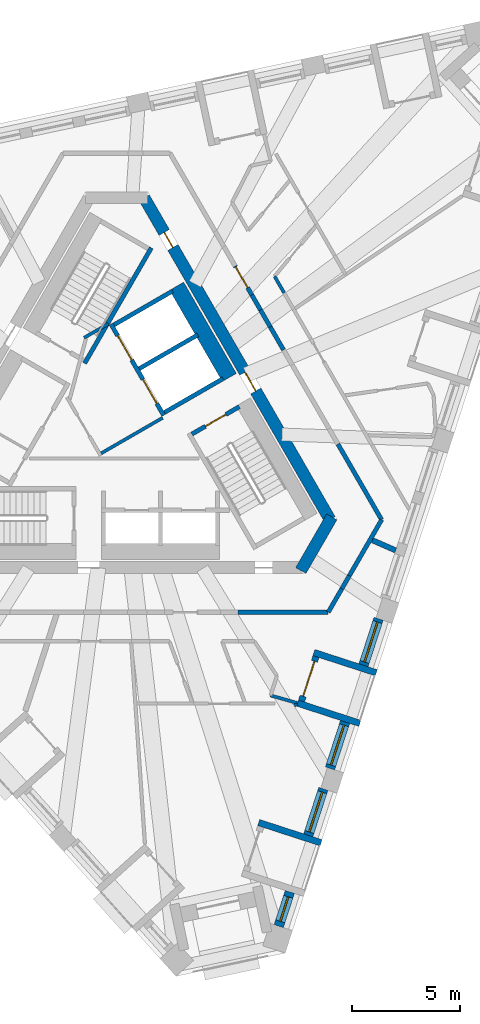
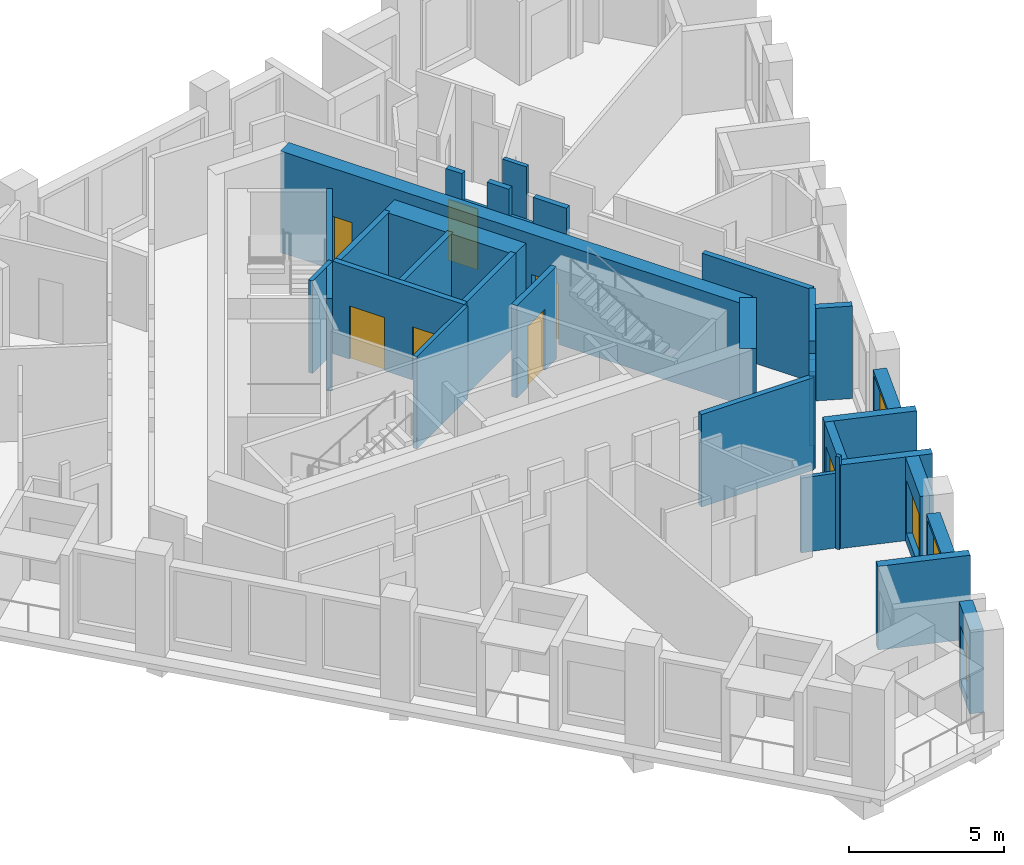
# One storey, part 5 of 12: 32 walls, 7 doors, 4 windows, 11 openings.
"""IFC4 building model written with IfcOpenShell, lengths in metres."""

from ifc_helpers import new_model, si_unit, direction, frame, frame_2d, origin, place, context, subcontext, project, spatial, polyline, rectangle, outline, extrude, material, layer, layer_set, type_object, element, fill, save


model = new_model("IFC4")

# Units and contexts
model_context = context("Model", 3, precision=1e-05, world=origin(), true_north=direction((0.0, 1.0)))
body_context = subcontext(model_context, "Body", "Model", "MODEL_VIEW")
ifc_project = project(units=[si_unit("LENGTHUNIT", "METRE"), si_unit("AREAUNIT", "SQUARE_METRE"), si_unit("VOLUMEUNIT", "CUBIC_METRE"), si_unit("PLANEANGLEUNIT", "RADIAN"), si_unit("MASSUNIT", "GRAM", prefix="KILO")], contexts=[model_context])

# Site, building, storey
site_placement = place(None, origin())
site = spatial("IfcSite", under=ifc_project, at=site_placement, CompositionType="ELEMENT")
building_placement = place(site_placement, origin())
building = spatial("IfcBuilding", under=site, at=building_placement, Name="Tramontana Tower", CompositionType="ELEMENT")
storey_placement = place(building_placement, frame((0.0, 0.0, 332.39990234375)))
storey = spatial("IfcBuildingStorey", under=building, at=storey_placement, Name="L76", CompositionType="ELEMENT", Elevation=332.39990234375)

# Wall
ifc_material_1 = material(Name="Concrete 70 MPa", Category="concrete")
ifc_layer_1 = layer(ifc_material_1, 0.550048828125)
ifc_layer_set_1 = layer_set([ifc_layer_1], Name="Core wall 550 70 MPa")
wall_type_1 = type_object("IfcWallType", Name="Core wall 550 70 MPa", PredefinedType="SHEAR", material=ifc_layer_set_1)
wall_1_placement = place(storey_placement, frame((8.56640625, -6.612548828125, 0.0), z_axis=(0.0, 0.0, 1.0), x_axis=(0.499995765644, 0.866027848477, 0.0)))
element("IfcWall", 1, at=wall_1_placement, inside=storey, type_object=wall_type_1, Name="Core wall C4 L76", PredefinedType="SHEAR", context=body_context, shape_type="SweptSolid", body=[
    extrude(rectangle(XDim=2.88671875, YDim=0.550048828125, at=frame_2d((1.443359375, 0.0))), origin(), (0.0, 0.0, 1.0), 4.0),
])

# Wall, openings, doors
wall_2_placement = place(storey_placement, frame((9.930419921875, -4.25, 0.0), z_axis=(0.0, 0.0, 1.0), x_axis=(-0.499994590896, 0.86602852671, 0.0)))
wall_2 = element("IfcWall", 2, at=wall_2_placement, inside=storey, type_object=wall_type_1, Name="Core wall C5 L76", PredefinedType="SHEAR", context=body_context, shape_type="SweptSolid", body=[
    extrude(rectangle(XDim=17.291748046875, YDim=0.550048828125, at=frame_2d((8.64599609375, 0.0))), origin(), (0.0, 0.0, 1.0), 4.0),
])
opening_1_placement = place(wall_2_placement, frame((6.9208984375, 0.0, 0.0)))
opening_1 = element("IfcOpeningElement", 3, at=opening_1_placement, cuts=wall_2, Name="Opening RG3", PredefinedType="OPENING", context=body_context, shape_type="SweptSolid", body=[
    extrude(rectangle(XDim=1.0, YDim=2.39990234375, at=frame_2d((0.5, 1.199951171875))), frame((0.0, 0.284912109375, 0.0), z_axis=(0.0, -1.0, 0.0), x_axis=(1.0, 0.0, 0.0)), (0.0, 0.0, 1.0), 0.570068359375),
])
opening_2_placement = place(wall_2_placement, frame((14.625732421875, 0.0, 0.0)))
opening_2 = element("IfcOpeningElement", 4, at=opening_2_placement, cuts=wall_2, Name="Opening PD3", PredefinedType="OPENING", context=body_context, shape_type="SweptSolid", body=[
    extrude(rectangle(XDim=0.800048828125, YDim=2.10009765625, at=frame_2d((0.39990234375, 1.050048828125))), frame((0.0, 0.284912109375, 0.0), z_axis=(0.0, -1.0, 0.0), x_axis=(1.0, 0.0, 0.0)), (0.0, 0.0, 1.0), 0.570068359375),
])
ifc_material_2 = material(Name="Painted steel", Category="steel")
door_type_1 = type_object("IfcDoorType", Name="CUPBOARD DOOR 800", OperationType="SINGLE_SWING_LEFT", PredefinedType="DOOR", material=ifc_material_2)
door_1_placement = place(opening_2_placement, origin())
door_1 = element("IfcDoor", 5, at=door_1_placement, inside=storey, type_object=door_type_1, Name="Door PD3", OperationType="SINGLE_SWING_RIGHT", OverallHeight=2.10009765625, OverallWidth=0.800048828125, PredefinedType="DOOR", context=body_context, shape_type="SweptSolid", body=[
    extrude(rectangle(XDim=0.800048828125, YDim=2.10009765625, at=frame_2d((0.39990234375, 1.050048828125))), frame((0.0, 0.02490234375, 0.0), z_axis=(0.0, -1.0, 0.0), x_axis=(1.0, 0.0, 0.0)), (0.0, 0.0, 1.0), 0.050048828125),
])
fill(opening_2, door_1)
ifc_material_3 = material(Name="Painted steel", Category="steel")
door_type_2 = type_object("IfcDoorType", Name="RING DOOR 1000", OperationType="SINGLE_SWING_LEFT", PredefinedType="DOOR", material=ifc_material_3)
door_2_placement = place(opening_1_placement, origin())
door_2 = element("IfcDoor", 6, at=door_2_placement, inside=storey, type_object=door_type_2, Name="Door RG3", OperationType="SINGLE_SWING_RIGHT", OverallHeight=2.39990234375, OverallWidth=1.0, PredefinedType="DOOR", context=body_context, shape_type="SweptSolid", body=[
    extrude(rectangle(XDim=1.0, YDim=2.39990234375, at=frame_2d((0.5, 1.199951171875))), frame((0.0, 0.02490234375, 0.0), z_axis=(0.0, -1.0, 0.0), x_axis=(1.0, 0.0, 0.0)), (0.0, 0.0, 1.0), 0.050048828125),
])
fill(opening_1, door_2)

# Walls
ifc_material_4 = material(Name="Blockwork", Category="masonry")
ifc_layer_2 = layer(ifc_material_4, 0.199951171875)
ifc_layer_set_2 = layer_set([ifc_layer_2], Name="ENTRY WALL 200")
wall_type_2 = type_object("IfcWallType", Name="ENTRY WALL 200", PredefinedType="SOLIDWALL", material=ifc_layer_set_2)
wall_3_placement = place(storey_placement, frame((12.326416015625, -4.25, 0.0), z_axis=(0.0, 0.0, 1.0), x_axis=(-0.500003959331, -0.866023117852, 0.0)))
element("IfcWall", 7, at=wall_3_placement, inside=storey, type_object=wall_type_2, Name="Wall v81-ew0-0", PredefinedType="SOLIDWALL", context=body_context, shape_type="SweptSolid", body=[
    extrude(rectangle(XDim=3.0029296875, YDim=0.199951171875, at=frame_2d((1.50146484375, 0.0))), origin(), (0.0, 0.0, 1.0), 3.650146484375),
])
wall_4_placement = place(storey_placement, frame((10.824951171875, -6.8505859375, 0.0), z_axis=(0.0, 0.0, 1.0), x_axis=(-0.500144223137, -0.865942120504, 0.0)))
element("IfcWall", 8, at=wall_4_placement, inside=storey, type_object=wall_type_2, Name="Wall v81-ew0-1", PredefinedType="SOLIDWALL", context=body_context, shape_type="SweptSolid", body=[
    extrude(rectangle(XDim=0.701416015625, YDim=0.199951171875, at=frame_2d((0.3505859375, 0.0))), origin(), (0.0, 0.0, 1.0), 2.9501953125),
])
wall_5_placement = place(storey_placement, frame((10.47412109375, -7.4580078125, 0.0), z_axis=(0.0, 0.0, 1.0), x_axis=(-0.499929168788, -0.866066294342, 0.0)))
element("IfcWall", 9, at=wall_5_placement, inside=storey, type_object=wall_type_2, Name="Wall v81-ew0-2", PredefinedType="SOLIDWALL", context=body_context, shape_type="SweptSolid", body=[
    extrude(rectangle(XDim=1.260986328125, YDim=0.199951171875, at=frame_2d((0.63037109375, 0.0))), origin(), (0.0, 0.0, 1.0), 3.650146484375),
])
wall_6_placement = place(storey_placement, frame((9.84375, -8.550048828125, 0.0), z_axis=(0.0, 0.0, 1.0), x_axis=(-1.0, 0.0, 0.0)))
element("IfcWall", 10, at=wall_6_placement, inside=storey, type_object=wall_type_2, Name="Wall v81-ew1-0", PredefinedType="SOLIDWALL", context=body_context, shape_type="SweptSolid", body=[
    extrude(rectangle(XDim=4.1943359375, YDim=0.199951171875, at=frame_2d((2.09716796875, 0.0))), origin(), (0.0, 0.0, 1.0), 3.650146484375),
])

# Wall, opening, door
wall_7_placement = place(storey_placement, frame((5.515380859375, 7.547119140625, 0.0), z_axis=(0.0, 0.0, 1.0), x_axis=(0.499986163319, -0.866033392248, 0.0)))
wall_7 = element("IfcWall", 11, at=wall_7_placement, inside=storey, type_object=wall_type_2, Name="Wall v81-ew5-3", PredefinedType="SOLIDWALL", context=body_context, shape_type="SweptSolid", body=[
    extrude(outline(polyline([(0.0, 0.0), (1.54931640625, 0.0), (1.549072265625, 2.550048828125), (0.605224609375, 2.550048828125), (0.605224609375, 3.650146484375), (0.0, 3.650146484375), (0.0, 0.0)])), frame((0.0, 0.10009765625, 0.0), z_axis=(0.0, -1.0, 0.0), x_axis=(1.0, 0.0, 0.0)), (0.0, 0.0, 1.0), 0.199951171875),
])
opening_3_placement = place(wall_7_placement, frame((0.050048828125, 0.0, 0.0)))
opening_3 = element("IfcOpeningElement", 12, at=opening_3_placement, cuts=wall_7, Name="Opening B8B-18", PredefinedType="OPENING", context=body_context, shape_type="SweptSolid", body=[
    extrude(rectangle(XDim=1.10009765625, YDim=2.39990234375, at=frame_2d((0.550048828125, 1.199951171875))), frame((0.0, 0.10986328125, 0.0), z_axis=(0.0, -1.0, 0.0), x_axis=(1.0, 0.0, 0.0)), (0.0, 0.0, 1.0), 0.219970703125),
])
ifc_material_5 = material(Name="Painted timber", Category="wood")
door_type_3 = type_object("IfcDoorType", Name="DOOR ENTRY 1100", OperationType="SINGLE_SWING_LEFT", PredefinedType="DOOR", material=ifc_material_5)
door_3_placement = place(opening_3_placement, origin())
door_3 = element("IfcDoor", 13, at=door_3_placement, inside=storey, type_object=door_type_3, Name="Door B8B-18", OperationType="SINGLE_SWING_RIGHT", OverallHeight=2.39990234375, OverallWidth=1.10009765625, PredefinedType="DOOR", context=body_context, shape_type="SweptSolid", body=[
    extrude(rectangle(XDim=1.10009765625, YDim=2.39990234375, at=frame_2d((0.550048828125, 1.199951171875))), frame((0.0, 0.02490234375, 0.0), z_axis=(0.0, -1.0, 0.0), x_axis=(1.0, 0.0, 0.0)), (0.0, 0.0, 1.0), 0.050048828125),
])
fill(opening_3, door_3)

# Walls
wall_8_placement = place(storey_placement, frame((6.2900390625, 6.205322265625, 0.0), z_axis=(0.0, 0.0, 1.0), x_axis=(0.500045602705, -0.86599907345, 0.0)))
element("IfcWall", 14, at=wall_8_placement, inside=storey, type_object=wall_type_2, Name="Wall v81-ew5-4", PredefinedType="SOLIDWALL", context=body_context, shape_type="SweptSolid", body=[
    extrude(rectangle(XDim=0.806640625, YDim=0.199951171875, at=frame_2d((0.4033203125, 0.0))), origin(), (0.0, 0.0, 1.0), 3.650146484375),
])
wall_9_placement = place(storey_placement, frame((6.693359375, 5.5068359375, 0.0), z_axis=(0.0, 0.0, 1.0), x_axis=(0.499994660107, -0.866028486751, 0.0)))
element("IfcWall", 15, at=wall_9_placement, inside=storey, type_object=wall_type_2, Name="Wall v81-ew5-5", PredefinedType="SOLIDWALL", context=body_context, shape_type="SweptSolid", body=[
    extrude(rectangle(XDim=0.90576171875, YDim=0.199951171875, at=frame_2d((0.452880859375, 0.0))), origin(), (0.0, 0.0, 1.0), 2.550048828125),
])
wall_10_placement = place(storey_placement, frame((7.146240234375, 4.722412109375, 0.0), z_axis=(0.0, 0.0, 1.0), x_axis=(0.499955681623, -0.866050989499, 0.0)))
element("IfcWall", 16, at=wall_10_placement, inside=storey, type_object=wall_type_2, Name="Wall v81-ew5-6", PredefinedType="SOLIDWALL", context=body_context, shape_type="SweptSolid", body=[
    extrude(rectangle(XDim=1.23828125, YDim=0.199951171875, at=frame_2d((0.619140625, 0.0))), origin(), (0.0, 0.0, 1.0), 3.650146484375),
])
wall_11_placement = place(storey_placement, frame((10.29345703125, -0.72900390625, 0.0), z_axis=(0.0, 0.0, 1.0), x_axis=(0.50002046505, -0.86601358796, 0.0)))
element("IfcWall", 17, at=wall_11_placement, inside=storey, type_object=wall_type_2, Name="Wall v81-ew5-10", PredefinedType="SOLIDWALL", context=body_context, shape_type="SweptSolid", body=[
    extrude(rectangle(XDim=4.065673828125, YDim=0.199951171875, at=frame_2d((2.03271484375, 0.0))), origin(), (0.0, 0.0, 1.0), 3.650146484375),
])

# Wall, opening, window
ifc_material_6 = material(Name="Precast concrete 60 MPa", Category="concrete")
ifc_layer_3 = layer(ifc_material_6, 0.449951171875)
ifc_layer_set_3 = layer_set([ifc_layer_3], Name="Precast concrete 60 MPa, 450 mm")
wall_type_3 = type_object("IfcWallType", Name="EW1 Stone-faced precast wall 450", PredefinedType="SOLIDWALL", material=ifc_layer_set_3)
wall_12_placement = place(storey_placement, frame((7.541015625, -23.14794921875, 0.0), z_axis=(0.0, 0.0, 1.0), x_axis=(0.308944042168, 0.951080216811, 0.0)))
wall_12 = element("IfcWall", 18, at=wall_12_placement, inside=storey, type_object=wall_type_3, Name="External wall L76 face 1 bay 1", PredefinedType="SOLIDWALL", context=body_context, shape_type="SweptSolid", body=[
    extrude(rectangle(XDim=1.67138671875, YDim=0.449951171875, at=frame_2d((0.835693359375, 0.0))), origin(), (0.0, 0.0, 1.0), 3.300048828125),
])
opening_4_placement = place(wall_12_placement, frame((0.235595703125, 0.0, 0.39990234375)))
opening_4 = element("IfcOpeningElement", 19, at=opening_4_placement, cuts=wall_12, Name="Opening N3L", PredefinedType="OPENING", context=body_context, shape_type="SweptSolid", body=[
    extrude(rectangle(XDim=1.199951171875, YDim=2.10009765625, at=frame_2d((0.60009765625, 1.050048828125))), frame((0.0, 0.23486328125, 0.0), z_axis=(0.0, -1.0, 0.0), x_axis=(1.0, 0.0, 0.0)), (0.0, 0.0, 1.0), 0.469970703125),
])
ifc_material_7 = material(Name="Aluminum frame, double glazing unit", Category="aluminium")
window_type_1 = type_object("IfcWindowType", Name="N3L Window 1.2 x 2.1", PartitioningType="SINGLE_PANEL", PredefinedType="WINDOW", material=ifc_material_7)
window_1_placement = place(opening_4_placement, origin())
window_1 = element("IfcWindow", 20, at=window_1_placement, inside=storey, type_object=window_type_1, Name="Window N3L L76 face 1 module 1", OverallHeight=2.10009765625, OverallWidth=1.199951171875, PartitioningType="SINGLE_PANEL", PredefinedType="WINDOW", context=body_context, shape_type="SweptSolid", body=[
    extrude(rectangle(XDim=1.199951171875, YDim=2.10009765625, at=frame_2d((0.60009765625, 1.050048828125))), frame((0.0, 0.030029296875, 0.0), z_axis=(0.0, -1.0, 0.0), x_axis=(1.0, 0.0, 0.0)), (0.0, 0.0, 1.0), 0.06005859375),
])
fill(opening_4, window_1)

wall_13_placement = place(storey_placement, frame((8.913818359375, -18.922607421875, 0.0), z_axis=(0.0, 0.0, 1.0), x_axis=(0.309059334219, 0.951042758204, 0.0)))
wall_13 = element("IfcWall", 21, at=wall_13_placement, inside=storey, type_object=wall_type_3, Name="External wall L76 face 1 bay 1", PredefinedType="SOLIDWALL", context=body_context, shape_type="SweptSolid", body=[
    extrude(rectangle(XDim=2.27099609375, YDim=0.449951171875, at=frame_2d((1.135498046875, 0.0))), origin(), (0.0, 0.0, 1.0), 3.300048828125),
])
opening_5_placement = place(wall_13_placement, frame((0.16064453125, 0.0, 0.39990234375)))
opening_5 = element("IfcOpeningElement", 22, at=opening_5_placement, cuts=wall_13, Name="Opening M3", PredefinedType="OPENING", context=body_context, shape_type="SweptSolid", body=[
    extrude(rectangle(XDim=1.949951171875, YDim=2.75, at=frame_2d((0.97509765625, 1.375))), frame((0.0, 0.23486328125, 0.0), z_axis=(0.0, -1.0, 0.0), x_axis=(1.0, 0.0, 0.0)), (0.0, 0.0, 1.0), 0.469970703125),
])
ifc_material_8 = material(Name="Aluminum frame, double glazing unit", Category="aluminium")
window_type_2 = type_object("IfcWindowType", Name="M3 Window 1.95 x 2.75", PartitioningType="SINGLE_PANEL", PredefinedType="WINDOW", material=ifc_material_8)
window_2_placement = place(opening_5_placement, origin())
window_2 = element("IfcWindow", 23, at=window_2_placement, inside=storey, type_object=window_type_2, Name="Window M3 L76 face 1 module 3", OverallHeight=2.75, OverallWidth=1.949951171875, PartitioningType="SINGLE_PANEL", PredefinedType="WINDOW", context=body_context, shape_type="SweptSolid", body=[
    extrude(rectangle(XDim=1.949951171875, YDim=2.75, at=frame_2d((0.97509765625, 1.375))), frame((0.0, 0.030029296875, 0.0), z_axis=(0.0, -1.0, 0.0), x_axis=(1.0, 0.0, 0.0)), (0.0, 0.0, 1.0), 0.06005859375),
])
fill(opening_5, window_2)

wall_14_placement = place(storey_placement, frame((9.9248046875, -15.8115234375, 0.0), z_axis=(0.0, 0.0, 1.0), x_axis=(0.308930512416, 0.95108461164, 0.0)))
wall_14 = element("IfcWall", 24, at=wall_14_placement, inside=storey, type_object=wall_type_3, Name="External wall L76 face 1 bay 2", PredefinedType="SOLIDWALL", context=body_context, shape_type="SweptSolid", body=[
    extrude(rectangle(XDim=2.271240234375, YDim=0.449951171875, at=frame_2d((1.1357421875, 0.0))), origin(), (0.0, 0.0, 1.0), 3.300048828125),
])
opening_6_placement = place(wall_14_placement, frame((0.16064453125, 0.0, 0.39990234375)))
opening_6 = element("IfcOpeningElement", 25, at=opening_6_placement, cuts=wall_14, Name="Opening M3L", PredefinedType="OPENING", context=body_context, shape_type="SweptSolid", body=[
    extrude(rectangle(XDim=1.949951171875, YDim=2.10009765625, at=frame_2d((0.97509765625, 1.050048828125))), frame((0.0, 0.23486328125, 0.0), z_axis=(0.0, -1.0, 0.0), x_axis=(1.0, 0.0, 0.0)), (0.0, 0.0, 1.0), 0.469970703125),
])
ifc_material_9 = material(Name="Aluminum frame, double glazing unit", Category="aluminium")
window_type_3 = type_object("IfcWindowType", Name="M3L Window 1.95 x 2.1", PartitioningType="SINGLE_PANEL", PredefinedType="WINDOW", material=ifc_material_9)
window_3_placement = place(opening_6_placement, origin())
window_3 = element("IfcWindow", 26, at=window_3_placement, inside=storey, type_object=window_type_3, Name="Window M3L L76 face 1 module 4", OverallHeight=2.10009765625, OverallWidth=1.949951171875, PartitioningType="SINGLE_PANEL", PredefinedType="WINDOW", context=body_context, shape_type="SweptSolid", body=[
    extrude(rectangle(XDim=1.949951171875, YDim=2.10009765625, at=frame_2d((0.97509765625, 1.050048828125))), frame((0.0, 0.030029296875, 0.0), z_axis=(0.0, -1.0, 0.0), x_axis=(1.0, 0.0, 0.0)), (0.0, 0.0, 1.0), 0.06005859375),
])
fill(opening_6, window_3)

wall_15_placement = place(storey_placement, frame((11.48291015625, -11.015869140625, 0.0), z_axis=(0.0, 0.0, 1.0), x_axis=(0.309027740273, 0.951053024674, 0.0)))
wall_15 = element("IfcWall", 27, at=wall_15_placement, inside=storey, type_object=wall_type_3, Name="External wall L76 face 1 bay 2", PredefinedType="SOLIDWALL", context=body_context, shape_type="SweptSolid", body=[
    extrude(rectangle(XDim=2.271240234375, YDim=0.449951171875, at=frame_2d((1.1357421875, 0.0))), origin(), (0.0, 0.0, 1.0), 3.300048828125),
])
opening_7_placement = place(wall_15_placement, frame((0.16064453125, 0.0, 0.39990234375)))
opening_7 = element("IfcOpeningElement", 28, at=opening_7_placement, cuts=wall_15, Name="Opening M3", PredefinedType="OPENING", context=body_context, shape_type="SweptSolid", body=[
    extrude(rectangle(XDim=1.949951171875, YDim=2.75, at=frame_2d((0.97509765625, 1.375))), frame((0.0, 0.23486328125, 0.0), z_axis=(0.0, -1.0, 0.0), x_axis=(1.0, 0.0, 0.0)), (0.0, 0.0, 1.0), 0.469970703125),
])
window_4_placement = place(opening_7_placement, origin())
window_4 = element("IfcWindow", 29, at=window_4_placement, inside=storey, type_object=window_type_2, Name="Window M3 L76 face 1 module 6", OverallHeight=2.75, OverallWidth=1.949951171875, PartitioningType="SINGLE_PANEL", PredefinedType="WINDOW", context=body_context, shape_type="SweptSolid", body=[
    extrude(rectangle(XDim=1.949951171875, YDim=2.75, at=frame_2d((0.97509765625, 1.375))), frame((0.0, 0.030029296875, 0.0), z_axis=(0.0, -1.0, 0.0), x_axis=(1.0, 0.0, 0.0)), (0.0, 0.0, 1.0), 0.06005859375),
])
fill(opening_7, window_4)

# Wall
ifc_material_10 = material(Name="Precast concrete 60 MPa", Category="concrete")
ifc_layer_4 = layer(ifc_material_10, 0.300048828125)
ifc_layer_set_4 = layer_set([ifc_layer_4], Name="LW1 Stone-faced loggia wall 300")
wall_type_4 = type_object("IfcWallType", Name="LW1 Stone-faced loggia wall 300", PredefinedType="SOLIDWALL", material=ifc_layer_set_4)
wall_16_placement = place(storey_placement, frame((9.509521484375, -19.27392578125, 0.0), z_axis=(0.0, 0.0, 1.0), x_axis=(-0.951072883748, 0.308966615996, 0.0)))
element("IfcWall", 30, at=wall_16_placement, inside=storey, type_object=wall_type_4, Name="Loggia return L76 G8S1.1b", PredefinedType="SOLIDWALL", context=body_context, shape_type="SweptSolid", body=[
    extrude(rectangle(XDim=3.050048828125, YDim=0.300048828125, at=frame_2d((1.52490234375, 0.0))), origin(), (0.0, 0.0, 1.0), 3.300048828125),
])

# Wall, opening, door
wall_17_placement = place(storey_placement, frame((8.603271484375, -12.678466796875, 0.0), z_axis=(0.0, 0.0, 1.0), x_axis=(0.308999623589, 0.95106216023, 0.0)))
wall_17 = element("IfcWall", 31, at=wall_17_placement, inside=storey, type_object=wall_type_4, Name="Loggia wall L76 G8S1.4", PredefinedType="SOLIDWALL", context=body_context, shape_type="SweptSolid", body=[
    extrude(rectangle(XDim=2.171142578125, YDim=0.300048828125, at=frame_2d((1.08544921875, 0.0))), origin(), (0.0, 0.0, 1.0), 3.300048828125),
])
opening_8_placement = place(wall_17_placement, frame((0.235595703125, 0.0, 0.0)))
opening_8 = element("IfcOpeningElement", 32, at=opening_8_placement, cuts=wall_17, Name="Opening BD-8S1-04", PredefinedType="OPENING", context=body_context, shape_type="SweptSolid", body=[
    extrude(rectangle(XDim=1.699951171875, YDim=2.5, at=frame_2d((0.85009765625, 1.25))), frame((0.0, 0.159912109375, 0.0), z_axis=(0.0, -1.0, 0.0), x_axis=(1.0, 0.0, 0.0)), (0.0, 0.0, 1.0), 0.320068359375),
])
ifc_material_11 = material(Name="Aluminum frame, double glazing unit", Category="aluminium")
door_type_4 = type_object("IfcDoorType", Name="BD3 Sliding door 1.7 x 2.5", OperationType="SLIDING_TO_LEFT", PredefinedType="DOOR", material=ifc_material_11)
door_4_placement = place(opening_8_placement, origin())
door_4 = element("IfcDoor", 33, at=door_4_placement, inside=storey, type_object=door_type_4, Name="Loggia door L76 G8S1.4", OperationType="SLIDING_TO_LEFT", OverallHeight=2.5, OverallWidth=1.699951171875, PredefinedType="DOOR", context=body_context, shape_type="SweptSolid", body=[
    extrude(rectangle(XDim=1.699951171875, YDim=2.5, at=frame_2d((0.85009765625, 1.25))), frame((0.0, 0.02490234375, 0.0), z_axis=(0.0, -1.0, 0.0), x_axis=(1.0, 0.0, 0.0)), (0.0, 0.0, 1.0), 0.050048828125),
])
fill(opening_8, door_4)

# Walls
for number, where, z_axis, x_axis, name in (
    (34, (11.31494140625, -13.71728515625, 0.0), (0.0, 0.0, 1.0), (-0.951072883748, 0.308966615996, 0.0), "Loggia return L76 G8S1.4a"),
    (35, (12.07861328125, -11.366943359375, 0.0), (0.0, 0.0, 1.0), (-0.951072883748, 0.308966615996, 0.0), "Loggia return L76 G8S1.4b"),
):
    element("IfcWall", number, at=place(storey_placement, frame(where, z_axis=z_axis, x_axis=x_axis)), inside=storey, type_object=wall_type_4, Name=name, PredefinedType="SOLIDWALL", context=body_context, shape_type="SweptSolid", body=[
        extrude(rectangle(XDim=3.050048828125, YDim=0.300048828125, at=frame_2d((1.52490234375, 0.0))), origin(), (0.0, 0.0, 1.0), 3.300048828125),
    ])
ifc_material_12 = material(Name="Gypsum board partition")
ifc_layer_5 = layer(ifc_material_12, 0.14990234375)
ifc_layer_set_5 = layer_set([ifc_layer_5], Name="PARTITION 150")
wall_type_5 = type_object("IfcWallType", Name="PARTITION 150", PredefinedType="PARTITIONING", material=ifc_layer_set_5)
wall_18_placement = place(storey_placement, frame((-0.716796875, -1.15869140625, 0.0), z_axis=(0.0, 0.0, 1.0), x_axis=(0.866008176907, 0.50002983664, 0.0)))
element("IfcWall", 36, at=wall_18_placement, inside=storey, type_object=wall_type_5, Name="Wall ff-end0", PredefinedType="PARTITIONING", context=body_context, shape_type="SweptSolid", body=[
    extrude(rectangle(XDim=3.300048828125, YDim=0.14990234375, at=frame_2d((1.64990234375, 0.0))), origin(), (0.0, 0.0, 1.0), 3.650146484375),
])
wall_19_placement = place(storey_placement, frame((-1.509765625, 4.21484375, 0.0), z_axis=(0.0, 0.0, 1.0), x_axis=(0.866085525409, 0.49989585183, 0.0)))
element("IfcWall", 37, at=wall_19_placement, inside=storey, type_object=wall_type_5, Name="Wall ff-end1", PredefinedType="PARTITIONING", context=body_context, shape_type="SweptSolid", body=[
    extrude(rectangle(XDim=1.300048828125, YDim=0.14990234375, at=frame_2d((0.64990234375, 0.0))), origin(), (0.0, 0.0, 1.0), 3.650146484375),
])
wall_20_placement = place(storey_placement, frame((7.34814453125, 7.07275390625, 0.0), z_axis=(0.0, 0.0, 1.0), x_axis=(0.499952443665, -0.866052858707, 0.0)))
element("IfcWall", 38, at=wall_20_placement, inside=storey, type_object=wall_type_5, Name="Wall v81-pw24-0", PredefinedType="PARTITIONING", context=body_context, shape_type="SweptSolid", body=[
    extrude(rectangle(XDim=0.88818359375, YDim=0.14990234375, at=frame_2d((0.444091796875, 0.0))), origin(), (0.0, 0.0, 1.0), 3.650146484375),
])
wall_21_placement = place(storey_placement, frame((8.36767578125, -12.91748046875, 0.0), z_axis=(0.0, 0.0, 1.0), x_axis=(-0.542961688991, 0.839757467539, 0.0)))
element("IfcWall", 39, at=wall_21_placement, inside=storey, type_object=wall_type_5, Name="Wall v81-pw28", PredefinedType="PARTITIONING", context=body_context, shape_type="SweptSolid", body=[
    extrude(rectangle(XDim=0.139892578125, YDim=0.14990234375, at=frame_2d((0.06982421875, 0.0))), origin(), (0.0, 0.0, 1.0), 3.650146484375),
])
wall_22_placement = place(storey_placement, frame((8.4140625, -12.77490234375, 0.0), z_axis=(0.0, 0.0, 1.0), x_axis=(-0.962207901517, 0.272315908933, 0.0)))
element("IfcWall", 40, at=wall_22_placement, inside=storey, type_object=wall_type_5, Name="Wall v81-pw29-0", PredefinedType="PARTITIONING", context=body_context, shape_type="SweptSolid", body=[
    extrude(rectangle(XDim=1.30078125, YDim=0.14990234375, at=frame_2d((0.650390625, 0.0))), origin(), (0.0, 0.0, 1.0), 2.9501953125),
])
ifc_material_13 = material(Name="Blockwork", Category="masonry")
ifc_layer_6 = layer(ifc_material_13, 0.25)
ifc_layer_set_6 = layer_set([ifc_layer_6], Name="PARTY WALL 250")
wall_type_6 = type_object("IfcWallType", Name="PARTY WALL 250", PredefinedType="SOLIDWALL", material=ifc_layer_set_6)
wall_23_placement = place(storey_placement, frame((11.893798828125, -5.199462890625, 0.0), z_axis=(0.0, 0.0, 1.0), x_axis=(0.916270561307, -0.4005599312, 0.0)))
element("IfcWall", 41, at=wall_23_placement, inside=storey, type_object=wall_type_6, Name="Wall v81-pw32", PredefinedType="SOLIDWALL", context=body_context, shape_type="SweptSolid", body=[
    extrude(rectangle(XDim=1.187255859375, YDim=0.25, at=frame_2d((0.59375, 0.0))), origin(), (0.0, 0.0, 1.0), 3.650146484375),
])
ifc_material_14 = material(Name="Concrete 70 MPa", Category="concrete")
ifc_layer_7 = layer(ifc_material_14, 0.75)
ifc_layer_set_7 = layer_set([ifc_layer_7], Name="Concrete 70 MPa, 750 mm")
wall_type_7 = type_object("IfcWallType", Name="RC SHAFT BACK WALL 750", PredefinedType="SOLIDWALL", material=ifc_layer_set_7)
wall_24_placement = place(storey_placement, frame((5.242919921875, 2.368896484375, 0.0), z_axis=(0.0, 0.0, 1.0), x_axis=(-0.500002801628, 0.866023786258, 0.0)))
element("IfcWall", 42, at=wall_24_placement, inside=storey, type_object=wall_type_7, Name="Wall row2-back", PredefinedType="SOLIDWALL", context=body_context, shape_type="SweptSolid", body=[
    extrude(rectangle(XDim=4.89990234375, YDim=0.75, at=frame_2d((2.449951171875, 0.0))), origin(), (0.0, 0.0, 1.0), 3.650146484375),
])
ifc_material_15 = material(Name="Concrete 70 MPa", Category="concrete")
ifc_layer_8 = layer(ifc_material_15, 0.199951171875)
ifc_layer_set_8 = layer_set([ifc_layer_8], Name="Concrete 70 MPa, 200 mm")
wall_type_8 = type_object("IfcWallType", Name="RC STAIR AND SHAFT WALL 200", PredefinedType="SOLIDWALL", material=ifc_layer_set_8)
wall_25_placement = place(storey_placement, frame((1.615234375, 8.3974609375, 0.0), z_axis=(0.0, 0.0, 1.0), x_axis=(-0.500009909098, -0.866019682689, 0.0)))
element("IfcWall", 43, at=wall_25_placement, inside=storey, type_object=wall_type_8, Name="Wall st1-front", PredefinedType="SOLIDWALL", context=body_context, shape_type="SweptSolid", body=[
    extrude(rectangle(XDim=6.199951171875, YDim=0.199951171875, at=frame_2d((3.10009765625, 0.0))), origin(), (0.0, 0.0, 1.0), 3.650146484375),
])

# Wall, opening, door
wall_26_placement = place(storey_placement, frame((3.50146484375, -0.2646484375, 0.0), z_axis=(0.0, 0.0, 1.0), x_axis=(0.866030925526, 0.499990435942, 0.0)))
wall_26 = element("IfcWall", 44, at=wall_26_placement, inside=storey, type_object=wall_type_8, Name="Wall st3-near", PredefinedType="SOLIDWALL", context=body_context, shape_type="SweptSolid", body=[
    extrude(rectangle(XDim=2.5498046875, YDim=0.199951171875, at=frame_2d((1.27490234375, 0.0))), origin(), (0.0, 0.0, 1.0), 3.650146484375),
])
opening_9_placement = place(wall_26_placement, frame((0.72509765625, 0.0, 0.0)))
opening_9 = element("IfcOpeningElement", 45, at=opening_9_placement, cuts=wall_26, Name="Opening SD3", PredefinedType="OPENING", context=body_context, shape_type="SweptSolid", body=[
    extrude(rectangle(XDim=1.10009765625, YDim=2.39990234375, at=frame_2d((0.550048828125, 1.199951171875))), frame((0.0, 0.10986328125, 0.0), z_axis=(0.0, -1.0, 0.0), x_axis=(1.0, 0.0, 0.0)), (0.0, 0.0, 1.0), 0.219970703125),
])
ifc_material_16 = material(Name="Painted steel", Category="steel")
door_type_5 = type_object("IfcDoorType", Name="STAIR DOOR 1100", OperationType="SINGLE_SWING_LEFT", PredefinedType="DOOR", material=ifc_material_16)
door_5_placement = place(opening_9_placement, origin())
door_5 = element("IfcDoor", 46, at=door_5_placement, inside=storey, type_object=door_type_5, Name="Door SD3", OperationType="SINGLE_SWING_RIGHT", OverallHeight=2.39990234375, OverallWidth=1.10009765625, PredefinedType="DOOR", context=body_context, shape_type="SweptSolid", body=[
    extrude(rectangle(XDim=1.10009765625, YDim=2.39990234375, at=frame_2d((0.550048828125, 1.199951171875))), frame((0.0, 0.02490234375, 0.0), z_axis=(0.0, -1.0, 0.0), x_axis=(1.0, 0.0, 0.0)), (0.0, 0.0, 1.0), 0.050048828125),
])
fill(opening_9, door_5)

# Wall, openings, doors
wall_27_placement = place(storey_placement, frame((2.190185546875, 0.6064453125, 0.0), z_axis=(0.0, 0.0, 1.0), x_axis=(-0.500002801628, 0.866023786258, 0.0)))
wall_27 = element("IfcWall", 47, at=wall_27_placement, inside=storey, type_object=wall_type_8, Name="Wall row2-front", PredefinedType="SOLIDWALL", context=body_context, shape_type="SweptSolid", body=[
    extrude(rectangle(XDim=4.89990234375, YDim=0.199951171875, at=frame_2d((2.449951171875, 0.0))), origin(), (0.0, 0.0, 1.0), 3.650146484375),
])
opening_10_placement = place(wall_27_placement, frame((0.625, 0.0, 0.0)))
opening_10 = element("IfcOpeningElement", 48, at=opening_10_placement, cuts=wall_27, Name="Opening LD-F1", PredefinedType="OPENING", context=body_context, shape_type="SweptSolid", body=[
    extrude(rectangle(XDim=1.300048828125, YDim=2.10009765625, at=frame_2d((0.64990234375, 1.050048828125))), frame((0.0, 0.10986328125, 0.0), z_axis=(0.0, -1.0, 0.0), x_axis=(1.0, 0.0, 0.0)), (0.0, 0.0, 1.0), 0.219970703125),
])
opening_11_placement = place(wall_27_placement, frame((2.97509765625, 0.0, 0.0)))
opening_11 = element("IfcOpeningElement", 49, at=opening_11_placement, cuts=wall_27, Name="Opening LD-F2", PredefinedType="OPENING", context=body_context, shape_type="SweptSolid", body=[
    extrude(rectangle(XDim=1.300048828125, YDim=2.10009765625, at=frame_2d((0.64990234375, 1.050048828125))), frame((0.0, 0.10986328125, 0.0), z_axis=(0.0, -1.0, 0.0), x_axis=(1.0, 0.0, 0.0)), (0.0, 0.0, 1.0), 0.219970703125),
])
ifc_material_17 = material(Name="Brushed steel", Category="steel")
door_type_6 = type_object("IfcDoorType", Name="LANDING DOOR 1300", OperationType="SINGLE_SWING_LEFT", PredefinedType="DOOR", material=ifc_material_17)
door_6_placement = place(opening_10_placement, origin())
door_6 = element("IfcDoor", 50, at=door_6_placement, inside=storey, type_object=door_type_6, Name="Door LD-F1", OperationType="SLIDING_TO_LEFT", OverallHeight=2.10009765625, OverallWidth=1.300048828125, PredefinedType="DOOR", context=body_context, shape_type="SweptSolid", body=[
    extrude(rectangle(XDim=1.300048828125, YDim=2.10009765625, at=frame_2d((0.64990234375, 1.050048828125))), frame((0.0, 0.02490234375, 0.0), z_axis=(0.0, -1.0, 0.0), x_axis=(1.0, 0.0, 0.0)), (0.0, 0.0, 1.0), 0.050048828125),
])
fill(opening_10, door_6)
door_7_placement = place(opening_11_placement, origin())
door_7 = element("IfcDoor", 51, at=door_7_placement, inside=storey, type_object=door_type_6, Name="Door LD-F2", OperationType="SLIDING_TO_RIGHT", OverallHeight=2.10009765625, OverallWidth=1.300048828125, PredefinedType="DOOR", context=body_context, shape_type="SweptSolid", body=[
    extrude(rectangle(XDim=1.300048828125, YDim=2.10009765625, at=frame_2d((0.64990234375, 1.050048828125))), frame((0.0, 0.02490234375, 0.0), z_axis=(0.0, -1.0, 0.0), x_axis=(1.0, 0.0, 0.0)), (0.0, 0.0, 1.0), 0.050048828125),
])
fill(opening_11, door_7)

# Walls
for number, where, z_axis, x_axis, name in (
    (52, (2.226806640625, 0.742919921875, 0.0), (0.0, 0.0, 1.0), (0.866035871367, 0.499981869177, 0.0), "Wall row2-side0"),
    (53, (1.0517578125, 2.778076171875, 0.0), (0.0, 0.0, 1.0), (0.866035871367, 0.499981869177, 0.0), "Wall row2-side1"),
    (54, (-0.123046875, 4.813232421875, 0.0), (0.0, 0.0, 1.0), (0.866016494683, 0.500015430699, 0.0), "Wall row2-side2"),
):
    element("IfcWall", number, at=place(storey_placement, frame(where, z_axis=z_axis, x_axis=x_axis)), inside=storey, type_object=wall_type_8, Name=name, PredefinedType="SOLIDWALL", context=body_context, shape_type="SweptSolid", body=[
        extrude(rectangle(XDim=3.14990234375, YDim=0.199951171875, at=frame_2d((1.574951171875, 0.0))), origin(), (0.0, 0.0, 1.0), 3.650146484375),
    ])

save(model, "model.ifc")
